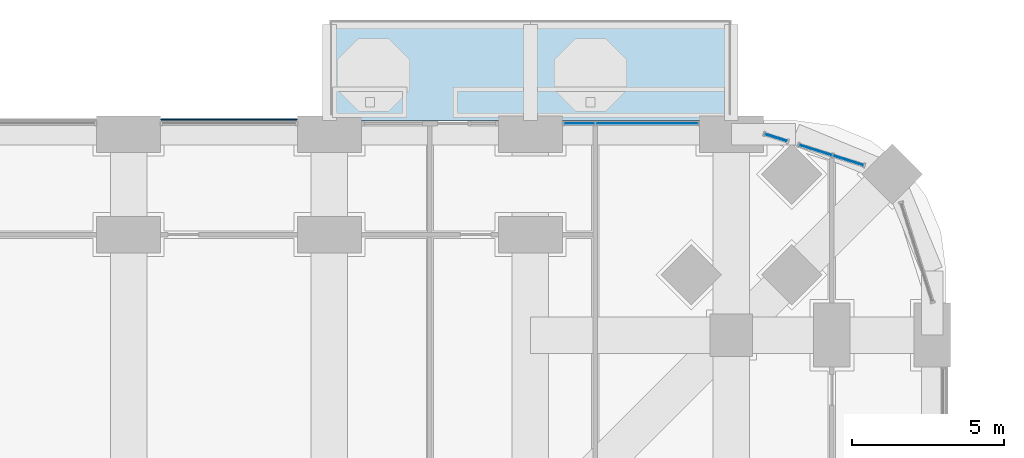
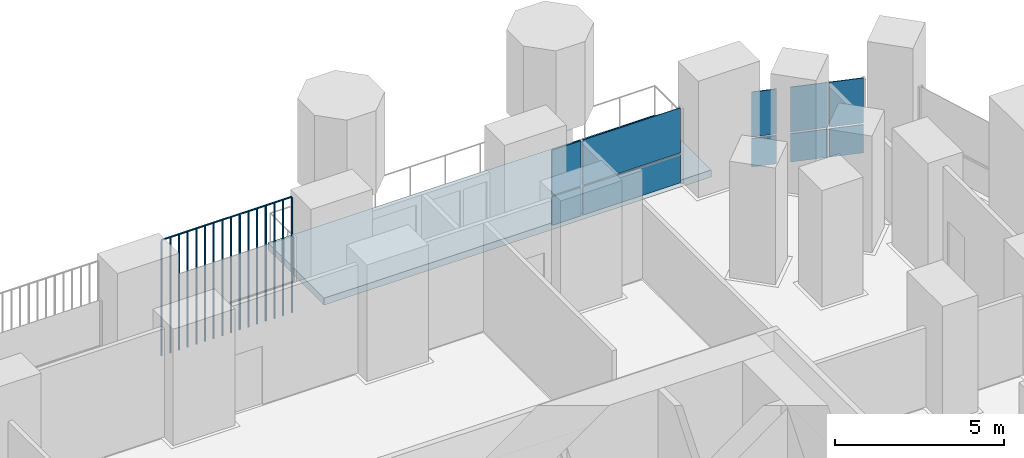
# One storey, part 17 of 27: 11 plates, 1 slab, 3 elements without a shape of their own.
"""IFC4 building model written with IfcOpenShell, lengths in metres."""

from ifc_helpers import new_model, si_unit, direction, frame, origin, origin_2d, place, context, subcontext, project, spatial, polyline, rectangle, outline, extrude, material, layer, layer_set, type_object, element, aggregate, save


model = new_model("IFC4")

# Units and contexts
model_context = context("Model", 3, precision=1e-05, world=origin(), true_north=direction((0.0, 1.0)))
body_context = subcontext(model_context, "Body", "Model", "MODEL_VIEW")
ifc_project = project(units=[si_unit("LENGTHUNIT", "METRE"), si_unit("AREAUNIT", "SQUARE_METRE"), si_unit("VOLUMEUNIT", "CUBIC_METRE"), si_unit("PLANEANGLEUNIT", "RADIAN"), si_unit("MASSUNIT", "GRAM", prefix="KILO")], contexts=[model_context])

# Site, building, storey
site_placement = place(None, origin())
site = spatial("IfcSite", under=ifc_project, at=site_placement, CompositionType="ELEMENT")
building_placement = place(site_placement, origin())
building = spatial("IfcBuilding", under=site, at=building_placement, Name="Cobogo Forest Laboratory Tower", CompositionType="ELEMENT")
storey_placement = place(building_placement, frame((0.0, 0.0, 46.5)))
storey = spatial("IfcBuildingStorey", under=building, at=storey_placement, Name="L10", CompositionType="ELEMENT", Elevation=46.5)

# Slab
ifc_material_1 = material(Name="Concrete HA-40 (C40/50)", Category="concrete")
ifc_layer_1 = layer(ifc_material_1, 0.25)
ifc_layer_set_1 = layer_set([ifc_layer_1], Name="Balcony slab 250")
slab_type = type_object("IfcSlabType", Name="Balcony slab 250", PredefinedType="FLOOR", material=ifc_layer_set_1)
slab_placement = place(storey_placement, frame((0.0, 0.0, -0.25)))
element("IfcSlab", 1, at=slab_placement, inside=storey, type_object=slab_type, Name="Balcony BAL-N2 L10", PredefinedType="FLOOR", context=body_context, shape_type="SweptSolid", body=[
    extrude(outline(polyline([(33.0, 46.64990234375), (46.199951171875, 46.64990234375), (46.199951171875, 49.949951171875), (33.0, 49.949951171875), (33.0, 46.64990234375)])), origin(), (0.0, 0.0, 1.0), 0.25),
])

# Curtain wall, plates
ifc_material_2 = material(Name="Aluminium curtain wall", Category="aluminium")
curtain_wall_type = type_object("IfcCurtainWallType", Name="CW-1 unitised curtain wall, clear glazing, laboratory floors zones A and B", PredefinedType="USERDEFINED", material=ifc_material_2)
curtain_wall_1_placement = place(storey_placement, origin())
curtain_wall_1 = element("IfcCurtainWall", 2, at=curtain_wall_1_placement, inside=storey, type_object=curtain_wall_type, Name="Curtain wall 16 L10", ObjectType="UNITISED CURTAIN WALL", PredefinedType="USERDEFINED")
ifc_material_3 = material(Name="Clear insulated glass", Category="glass")
ifc_layer_2 = layer(ifc_material_3, 0.028076171875)
ifc_layer_set_2 = layer_set([ifc_layer_2], Name="GP-1 clear insulated glass unit 28")
plate_type_1 = type_object("IfcPlateType", Name="GP-1 clear insulated glass unit 28", PredefinedType="CURTAIN_PANEL", material=ifc_layer_set_2)
plate_1_placement = place(storey_placement, frame((50.042724609375, 45.33642578125, 0.0), z_axis=(0.0, 0.0, 1.0), x_axis=(-0.953581409645, 0.301135343623, 0.0)))
plate_1 = element("IfcPlate", 3, at=plate_1_placement, type_object=plate_type_1, Name="CW-1 panel 1.1", PredefinedType="CURTAIN_PANEL", context=body_context, shape_type="SweptSolid", body=[
    extrude(rectangle(XDim=1.027587890625, YDim=0.028076171875, at=origin_2d()), origin(), (0.0, 0.0, 1.0), 1.02001953125),
])
plate_2_placement = place(storey_placement, frame((50.042724609375, 45.33642578125, 1.079833984375), z_axis=(0.0, 0.0, 1.0), x_axis=(-0.953581409645, 0.301135343623, 0.0)))
plate_2 = element("IfcPlate", 4, at=plate_2_placement, type_object=plate_type_1, Name="CW-1 panel 1.2", PredefinedType="CURTAIN_PANEL", context=body_context, shape_type="SweptSolid", body=[
    extrude(rectangle(XDim=1.027587890625, YDim=0.028076171875, at=origin_2d()), origin(), (0.0, 0.0, 1.0), 1.6201171875),
])
plate_3_placement = place(storey_placement, frame((48.963623046875, 45.67724609375, 0.0), z_axis=(0.0, 0.0, 1.0), x_axis=(-0.953581409645, 0.301135343623, 0.0)))
plate_3 = element("IfcPlate", 5, at=plate_3_placement, type_object=plate_type_1, Name="CW-1 panel 2.1", PredefinedType="CURTAIN_PANEL", context=body_context, shape_type="SweptSolid", body=[
    extrude(rectangle(XDim=1.11572265625, YDim=0.028076171875, at=origin_2d()), origin(), (0.0, 0.0, 1.0), 1.02001953125),
])
plate_4_placement = place(storey_placement, frame((48.963623046875, 45.67724609375, 1.079833984375), z_axis=(0.0, 0.0, 1.0), x_axis=(-0.953581409645, 0.301135343623, 0.0)))
plate_4 = element("IfcPlate", 6, at=plate_4_placement, type_object=plate_type_1, Name="CW-1 panel 2.2", PredefinedType="CURTAIN_PANEL", context=body_context, shape_type="SweptSolid", body=[
    extrude(rectangle(XDim=1.11572265625, YDim=0.028076171875, at=origin_2d()), origin(), (0.0, 0.0, 1.0), 1.6201171875),
])
aggregate(curtain_wall_1, [plate_1, plate_2, plate_3, plate_4])

curtain_wall_2_placement = place(storey_placement, origin())
curtain_wall_2 = element("IfcCurtainWall", 7, at=curtain_wall_2_placement, inside=storey, type_object=curtain_wall_type, Name="Curtain wall 17 L10", ObjectType="UNITISED CURTAIN WALL", PredefinedType="USERDEFINED")
plate_5_placement = place(storey_placement, frame((47.666015625, 46.087158203125, 0.0), z_axis=(0.0, 0.0, 1.0), x_axis=(-0.953581504428, 0.301135043481, 0.0)))
plate_5 = element("IfcPlate", 8, at=plate_5_placement, type_object=plate_type_1, Name="CW-1 panel 1.1", PredefinedType="CURTAIN_PANEL", context=body_context, shape_type="SweptSolid", body=[
    extrude(rectangle(XDim=0.75244140625, YDim=0.028076171875, at=origin_2d()), origin(), (0.0, 0.0, 1.0), 1.02001953125),
])
plate_6_placement = place(storey_placement, frame((47.666015625, 46.087158203125, 1.079833984375), z_axis=(0.0, 0.0, 1.0), x_axis=(-0.953581504428, 0.301135043481, 0.0)))
plate_6 = element("IfcPlate", 9, at=plate_6_placement, type_object=plate_type_1, Name="CW-1 panel 1.2", PredefinedType="CURTAIN_PANEL", context=body_context, shape_type="SweptSolid", body=[
    extrude(rectangle(XDim=0.75244140625, YDim=0.028076171875, at=origin_2d()), origin(), (0.0, 0.0, 1.0), 1.6201171875),
])
aggregate(curtain_wall_2, [plate_5, plate_6])

curtain_wall_3_placement = place(storey_placement, origin())
curtain_wall_3 = element("IfcCurtainWall", 10, at=curtain_wall_3_placement, inside=storey, type_object=curtain_wall_type, Name="Curtain wall 18 L10", ObjectType="UNITISED CURTAIN WALL", PredefinedType="USERDEFINED")
plate_7_placement = place(storey_placement, frame((43.422607421875, 46.550048828125, 0.0), z_axis=(0.0, 0.0, 1.0), x_axis=(-1.0, 0.0, 0.0)))
plate_7 = element("IfcPlate", 11, at=plate_7_placement, type_object=plate_type_1, Name="CW-1 panel 1.1", PredefinedType="CURTAIN_PANEL", context=body_context, shape_type="SweptSolid", body=[
    extrude(rectangle(XDim=3.3349609375, YDim=0.028076171875, at=origin_2d()), origin(), (0.0, 0.0, 1.0), 1.02001953125),
])
plate_8_placement = place(storey_placement, frame((43.422607421875, 46.550048828125, 1.079833984375), z_axis=(0.0, 0.0, 1.0), x_axis=(-1.0, 0.0, 0.0)))
plate_8 = element("IfcPlate", 12, at=plate_8_placement, type_object=plate_type_1, Name="CW-1 panel 1.2", PredefinedType="CURTAIN_PANEL", context=body_context, shape_type="SweptSolid", body=[
    extrude(rectangle(XDim=3.3349609375, YDim=0.028076171875, at=origin_2d()), origin(), (0.0, 0.0, 1.0), 1.6201171875),
])
plate_9_placement = place(storey_placement, frame((41.202392578125, 46.550048828125, 0.0), z_axis=(0.0, 0.0, 1.0), x_axis=(-1.0, 0.0, 0.0)))
plate_9 = element("IfcPlate", 13, at=plate_9_placement, type_object=plate_type_1, Name="CW-1 panel 2.1", PredefinedType="CURTAIN_PANEL", context=body_context, shape_type="SweptSolid", body=[
    extrude(rectangle(XDim=0.985107421875, YDim=0.028076171875, at=origin_2d()), origin(), (0.0, 0.0, 1.0), 1.02001953125),
])
plate_10_placement = place(storey_placement, frame((41.202392578125, 46.550048828125, 1.079833984375), z_axis=(0.0, 0.0, 1.0), x_axis=(-1.0, 0.0, 0.0)))
plate_10 = element("IfcPlate", 14, at=plate_10_placement, type_object=plate_type_1, Name="CW-1 panel 2.2", PredefinedType="CURTAIN_PANEL", context=body_context, shape_type="SweptSolid", body=[
    extrude(rectangle(XDim=0.985107421875, YDim=0.028076171875, at=origin_2d()), origin(), (0.0, 0.0, 1.0), 1.6201171875),
])
aggregate(curtain_wall_3, [plate_7, plate_8, plate_9, plate_10])

# Plate
ifc_material_4 = material(Name="Terracotta", Category="masonry")
plate_type_2 = type_object("IfcPlateType", Name="TB1 terracotta baguette screen", PredefinedType="USERDEFINED", material=ifc_material_4)
plate_11_placement = place(storey_placement, frame((27.481201171875, 46.677978515625, -0.14990234375)))
element("IfcPlate", 15, at=plate_11_placement, inside=storey, type_object=plate_type_2, Name="Baguette screen N4 L10", ObjectType="BAGUETTE SCREEN", PredefinedType="USERDEFINED", context=body_context, shape_type="SweptSolid", body=[
    extrude(outline(polyline([(0.02880859375, 0.011962890625), (0.011962890625, 0.02880859375), (-0.011962890625, 0.02880859375), (-0.02880859375, 0.011962890625), (-0.02880859375, -0.011962890625), (-0.011962890625, -0.02880859375), (0.011962890625, -0.02880859375), (0.02880859375, -0.011962890625), (0.02880859375, 0.011962890625)])), frame((0.0, 0.0, 4.168701171875), z_axis=(1.0, 0.0, 0.0), x_axis=(0.0, 1.0, 0.0)), (0.0, 0.0, 1.0), 4.4375),
    extrude(outline(polyline([(0.02880859375, 0.011962890625), (0.011962890625, 0.02880859375), (-0.011962890625, 0.02880859375), (-0.02880859375, 0.011962890625), (-0.02880859375, -0.011962890625), (-0.011962890625, -0.02880859375), (0.011962890625, -0.02880859375), (0.02880859375, -0.011962890625), (0.02880859375, 0.011962890625)])), origin(), (0.0, 0.0, 1.0), 4.137451171875),
    extrude(outline(polyline([(0.02880859375, 0.011962890625), (0.011962890625, 0.02880859375), (-0.011962890625, 0.02880859375), (-0.02880859375, 0.011962890625), (-0.02880859375, -0.011962890625), (-0.011962890625, -0.02880859375), (0.011962890625, -0.02880859375), (0.02880859375, -0.011962890625), (0.02880859375, 0.011962890625)])), frame((0.2958984375, 0.0, 0.0)), (0.0, 0.0, 1.0), 4.137451171875),
    extrude(outline(polyline([(0.02880859375, 0.011962890625), (0.011962890625, 0.02880859375), (-0.011962890625, 0.02880859375), (-0.02880859375, 0.011962890625), (-0.02880859375, -0.011962890625), (-0.011962890625, -0.02880859375), (0.011962890625, -0.02880859375), (0.02880859375, -0.011962890625), (0.02880859375, 0.011962890625)])), frame((0.591552734375, 0.0, 0.0)), (0.0, 0.0, 1.0), 4.137451171875),
    extrude(outline(polyline([(0.02880859375, 0.011962890625), (0.011962890625, 0.02880859375), (-0.011962890625, 0.02880859375), (-0.02880859375, 0.011962890625), (-0.02880859375, -0.011962890625), (-0.011962890625, -0.02880859375), (0.011962890625, -0.02880859375), (0.02880859375, -0.011962890625), (0.02880859375, 0.011962890625)])), frame((0.887451171875, 0.0, 0.0)), (0.0, 0.0, 1.0), 4.137451171875),
    extrude(outline(polyline([(0.02880859375, 0.011962890625), (0.011962890625, 0.02880859375), (-0.011962890625, 0.02880859375), (-0.02880859375, 0.011962890625), (-0.02880859375, -0.011962890625), (-0.011962890625, -0.02880859375), (0.011962890625, -0.02880859375), (0.02880859375, -0.011962890625), (0.02880859375, 0.011962890625)])), frame((1.183349609375, 0.0, 0.0)), (0.0, 0.0, 1.0), 4.137451171875),
    extrude(outline(polyline([(0.02880859375, 0.011962890625), (0.011962890625, 0.02880859375), (-0.011962890625, 0.02880859375), (-0.02880859375, 0.011962890625), (-0.02880859375, -0.011962890625), (-0.011962890625, -0.02880859375), (0.011962890625, -0.02880859375), (0.02880859375, -0.011962890625), (0.02880859375, 0.011962890625)])), frame((1.479248046875, 0.0, 0.0)), (0.0, 0.0, 1.0), 4.137451171875),
    extrude(outline(polyline([(0.02880859375, 0.011962890625), (0.011962890625, 0.02880859375), (-0.011962890625, 0.02880859375), (-0.02880859375, 0.011962890625), (-0.02880859375, -0.011962890625), (-0.011962890625, -0.02880859375), (0.011962890625, -0.02880859375), (0.02880859375, -0.011962890625), (0.02880859375, 0.011962890625)])), frame((1.77490234375, 0.0, 0.0)), (0.0, 0.0, 1.0), 4.137451171875),
    extrude(outline(polyline([(0.02880859375, 0.011962890625), (0.011962890625, 0.02880859375), (-0.011962890625, 0.02880859375), (-0.02880859375, 0.011962890625), (-0.02880859375, -0.011962890625), (-0.011962890625, -0.02880859375), (0.011962890625, -0.02880859375), (0.02880859375, -0.011962890625), (0.02880859375, 0.011962890625)])), frame((2.07080078125, 0.0, 0.0)), (0.0, 0.0, 1.0), 4.137451171875),
    extrude(outline(polyline([(0.02880859375, 0.011962890625), (0.011962890625, 0.02880859375), (-0.011962890625, 0.02880859375), (-0.02880859375, 0.011962890625), (-0.02880859375, -0.011962890625), (-0.011962890625, -0.02880859375), (0.011962890625, -0.02880859375), (0.02880859375, -0.011962890625), (0.02880859375, 0.011962890625)])), frame((2.36669921875, 0.0, 0.0)), (0.0, 0.0, 1.0), 4.137451171875),
    extrude(outline(polyline([(0.02880859375, 0.011962890625), (0.011962890625, 0.02880859375), (-0.011962890625, 0.02880859375), (-0.02880859375, 0.011962890625), (-0.02880859375, -0.011962890625), (-0.011962890625, -0.02880859375), (0.011962890625, -0.02880859375), (0.02880859375, -0.011962890625), (0.02880859375, 0.011962890625)])), frame((2.66259765625, 0.0, 0.0)), (0.0, 0.0, 1.0), 4.137451171875),
    extrude(outline(polyline([(0.02880859375, 0.011962890625), (0.011962890625, 0.02880859375), (-0.011962890625, 0.02880859375), (-0.02880859375, 0.011962890625), (-0.02880859375, -0.011962890625), (-0.011962890625, -0.02880859375), (0.011962890625, -0.02880859375), (0.02880859375, -0.011962890625), (0.02880859375, 0.011962890625)])), frame((2.958251953125, 0.0, 0.0)), (0.0, 0.0, 1.0), 4.137451171875),
    extrude(outline(polyline([(0.02880859375, 0.011962890625), (0.011962890625, 0.02880859375), (-0.011962890625, 0.02880859375), (-0.02880859375, 0.011962890625), (-0.02880859375, -0.011962890625), (-0.011962890625, -0.02880859375), (0.011962890625, -0.02880859375), (0.02880859375, -0.011962890625), (0.02880859375, 0.011962890625)])), frame((3.254150390625, 0.0, 0.0)), (0.0, 0.0, 1.0), 4.137451171875),
    extrude(outline(polyline([(0.02880859375, 0.011962890625), (0.011962890625, 0.02880859375), (-0.011962890625, 0.02880859375), (-0.02880859375, 0.011962890625), (-0.02880859375, -0.011962890625), (-0.011962890625, -0.02880859375), (0.011962890625, -0.02880859375), (0.02880859375, -0.011962890625), (0.02880859375, 0.011962890625)])), frame((3.550048828125, 0.0, 0.0)), (0.0, 0.0, 1.0), 4.137451171875),
    extrude(outline(polyline([(0.02880859375, 0.011962890625), (0.011962890625, 0.02880859375), (-0.011962890625, 0.02880859375), (-0.02880859375, 0.011962890625), (-0.02880859375, -0.011962890625), (-0.011962890625, -0.02880859375), (0.011962890625, -0.02880859375), (0.02880859375, -0.011962890625), (0.02880859375, 0.011962890625)])), frame((3.845947265625, 0.0, 0.0)), (0.0, 0.0, 1.0), 4.137451171875),
    extrude(outline(polyline([(0.02880859375, 0.011962890625), (0.011962890625, 0.02880859375), (-0.011962890625, 0.02880859375), (-0.02880859375, 0.011962890625), (-0.02880859375, -0.011962890625), (-0.011962890625, -0.02880859375), (0.011962890625, -0.02880859375), (0.02880859375, -0.011962890625), (0.02880859375, 0.011962890625)])), frame((4.1416015625, 0.0, 0.0)), (0.0, 0.0, 1.0), 4.137451171875),
    extrude(outline(polyline([(0.02880859375, 0.011962890625), (0.011962890625, 0.02880859375), (-0.011962890625, 0.02880859375), (-0.02880859375, 0.011962890625), (-0.02880859375, -0.011962890625), (-0.011962890625, -0.02880859375), (0.011962890625, -0.02880859375), (0.02880859375, -0.011962890625), (0.02880859375, 0.011962890625)])), frame((4.4375, 0.0, 0.0)), (0.0, 0.0, 1.0), 4.137451171875),
])

save(model, "model.ifc")
